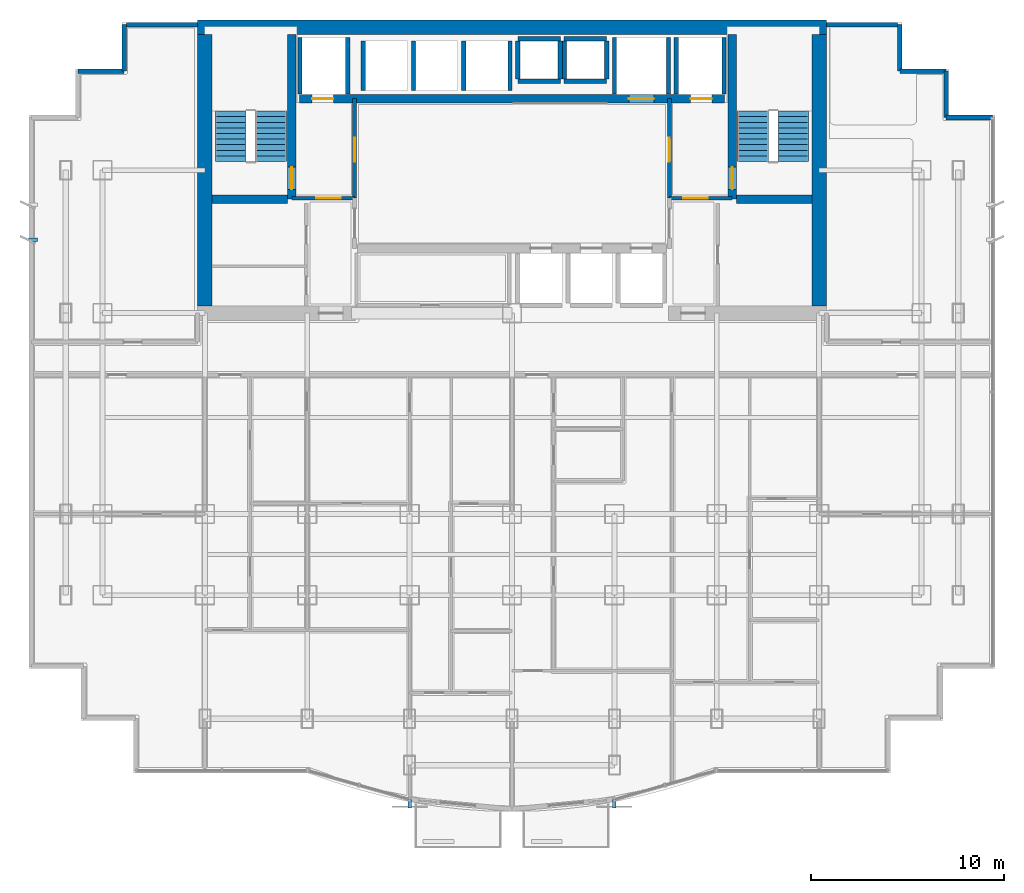
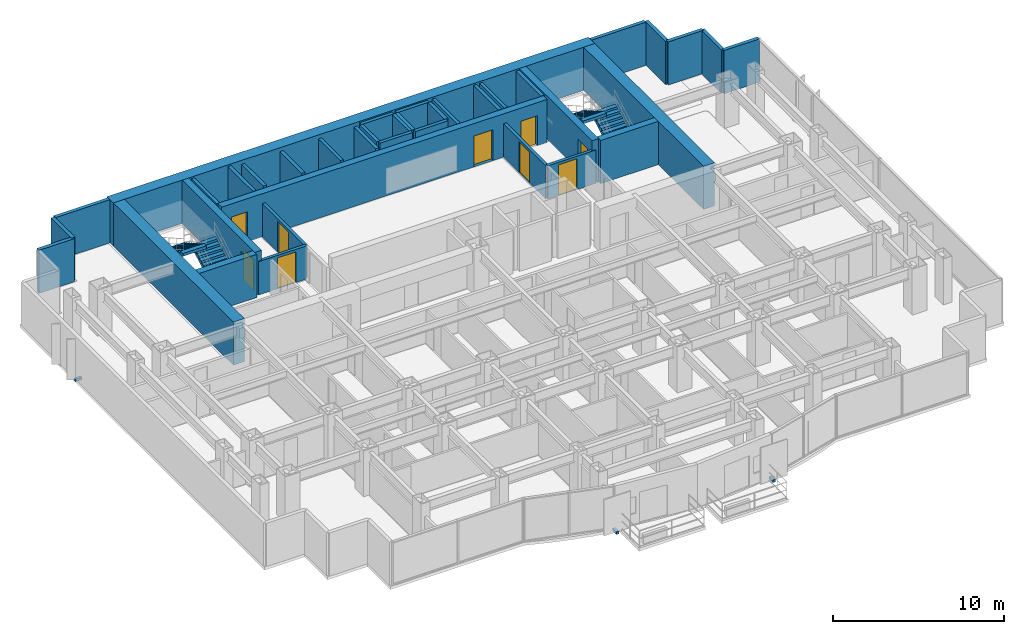
# One storey, part 9 of 12: 38 walls, 9 doors, 4 stair flights, 3 discrete accessories, 9 openings, 2 elements without a shape of their own.
"""IFC4 building model written with IfcOpenShell, lengths in metres."""

from ifc_helpers import new_model, si_unit, direction, frame, frame_2d, origin, origin_2d, place, context, subcontext, project, spatial, polyline, rectangle, outline, extrude, source, transform, mapped, material, layer, layer_set, type_object, element, fill, aggregate, save


model = new_model("IFC4")

# Units and contexts
model_context = context("Model", 3, precision=1e-05, world=origin(), true_north=direction((0.0, 1.0)))
body_context = subcontext(model_context, "Body", "Model", "MODEL_VIEW")
ifc_project = project(units=[si_unit("LENGTHUNIT", "METRE"), si_unit("AREAUNIT", "SQUARE_METRE"), si_unit("VOLUMEUNIT", "CUBIC_METRE"), si_unit("PLANEANGLEUNIT", "RADIAN"), si_unit("MASSUNIT", "GRAM", prefix="KILO")], contexts=[model_context])

# Site, building, storey
site_placement = place(None, origin())
site = spatial("IfcSite", under=ifc_project, at=site_placement, CompositionType="ELEMENT")
building_placement = place(site_placement, origin())
building = spatial("IfcBuilding", under=site, at=building_placement, Name="Qianlan Lanfeng Residences", CompositionType="ELEMENT")
storey_placement = place(building_placement, frame((0.0, 0.0, 101.5)))
storey = spatial("IfcBuildingStorey", under=building, at=storey_placement, Name="L27", CompositionType="ELEMENT", Elevation=101.5)

# Wall, opening, door
ifc_material_1 = material(Name="Concrete C60", Category="concrete")
ifc_layer_1 = layer(ifc_material_1, 0.449951171875)
ifc_layer_set_1 = layer_set([ifc_layer_1], Name="Concrete C60")
wall_type_1 = type_object("IfcWallType", Name="CW-RC-450", PredefinedType="SHEAR", material=ifc_layer_set_1)
wall_1_placement = place(storey_placement, frame((15.10009765625, 31.10009765625, 0.0), z_axis=(0.0, 0.0, 1.0), x_axis=(0.0, 1.0, 0.0)))
wall_1 = element("IfcWall", 1, at=wall_1_placement, inside=storey, type_object=wall_type_1, Name="L27 Core Shear Wall ST1E", PredefinedType="SHEAR", context=body_context, shape_type="SweptSolid", body=[
    extrude(rectangle(XDim=8.52490234375, YDim=0.449951171875, at=frame_2d((4.262451171875, 0.0))), origin(), (0.0, 0.0, 1.0), 3.090087890625),
])
opening_1_placement = place(wall_1_placement, frame((0.510009765625, 0.0, 0.0)))
opening_1 = element("IfcOpeningElement", 2, at=opening_1_placement, cuts=wall_1, Name="Opening L27-D07", PredefinedType="OPENING", context=body_context, shape_type="SweptSolid", body=[
    extrude(rectangle(XDim=1.14990234375, YDim=2.199951171875, at=frame_2d((0.574951171875, 1.10009765625))), frame((0.0, 0.23486328125, 0.0), z_axis=(0.0, -1.0, 0.0), x_axis=(1.0, 0.0, 0.0)), (0.0, 0.0, 1.0), 0.469970703125),
])
ifc_material_2 = material(Name="Painted Galvanised Steel Fire Door", Category="steel")
door_type_1 = type_object("IfcDoorType", Name="DT-ST1", OperationType="NOTDEFINED", PredefinedType="DOOR", material=ifc_material_2)
door_1_placement = place(opening_1_placement, frame((1.14990234375, 0.0, 0.0), z_axis=(0.0, 0.0, 1.0), x_axis=(-1.0, 0.0, 0.0)))
door_1 = element("IfcDoor", 3, at=door_1_placement, inside=storey, type_object=door_type_1, Name="L27 Exit Stair ST-1 Door L27-D07 (DT-ST1)", OperationType="SINGLE_SWING_RIGHT", OverallHeight=2.199951171875, OverallWidth=1.14990234375, PredefinedType="DOOR", context=body_context, shape_type="SweptSolid", body=[
    extrude(rectangle(XDim=1.14990234375, YDim=2.199951171875, at=frame_2d((0.574951171875, 1.10009765625))), frame((0.0, 0.02490234375, 0.0), z_axis=(0.0, -1.0, 0.0), x_axis=(1.0, 0.0, 0.0)), (0.0, 0.0, 1.0), 0.050048828125),
])
fill(opening_1, door_1)

# Wall
wall_2_placement = place(storey_placement, frame((10.97509765625, 31.10009765625, 0.0), z_axis=(0.0, 0.0, 1.0), x_axis=(1.0, 0.0, 0.0)))
element("IfcWall", 4, at=wall_2_placement, inside=storey, type_object=wall_type_1, Name="L27 Core Shear Wall ST1S", PredefinedType="SHEAR", context=body_context, shape_type="SweptSolid", body=[
    extrude(rectangle(XDim=3.89990234375, YDim=0.449951171875, at=frame_2d((1.949951171875, 0.0))), origin(), (0.0, 0.0, 1.0), 3.090087890625),
])

# Wall, opening, door
wall_3_placement = place(storey_placement, frame((37.89990234375, 31.10009765625, 0.0), z_axis=(0.0, 0.0, 1.0), x_axis=(0.0, 1.0, 0.0)))
wall_3 = element("IfcWall", 5, at=wall_3_placement, inside=storey, type_object=wall_type_1, Name="L27 Core Shear Wall ST2W", PredefinedType="SHEAR", context=body_context, shape_type="SweptSolid", body=[
    extrude(rectangle(XDim=8.52490234375, YDim=0.449951171875, at=frame_2d((4.262451171875, 0.0))), origin(), (0.0, 0.0, 1.0), 3.090087890625),
])
opening_2_placement = place(wall_3_placement, frame((0.510009765625, 0.0, 0.0)))
opening_2 = element("IfcOpeningElement", 6, at=opening_2_placement, cuts=wall_3, Name="Opening L27-D08", PredefinedType="OPENING", context=body_context, shape_type="SweptSolid", body=[
    extrude(rectangle(XDim=1.14990234375, YDim=2.199951171875, at=frame_2d((0.574951171875, 1.10009765625))), frame((0.0, 0.23486328125, 0.0), z_axis=(0.0, -1.0, 0.0), x_axis=(1.0, 0.0, 0.0)), (0.0, 0.0, 1.0), 0.469970703125),
])
door_2_placement = place(opening_2_placement, origin())
door_2 = element("IfcDoor", 7, at=door_2_placement, inside=storey, type_object=door_type_1, Name="L27 Exit Stair ST-2 Door L27-D08 (DT-ST1)", OperationType="SINGLE_SWING_RIGHT", OverallHeight=2.199951171875, OverallWidth=1.14990234375, PredefinedType="DOOR", context=body_context, shape_type="SweptSolid", body=[
    extrude(rectangle(XDim=1.14990234375, YDim=2.199951171875, at=frame_2d((0.574951171875, 1.10009765625))), frame((0.0, 0.02490234375, 0.0), z_axis=(0.0, -1.0, 0.0), x_axis=(1.0, 0.0, 0.0)), (0.0, 0.0, 1.0), 0.050048828125),
])
fill(opening_2, door_2)

# Wall
wall_4_placement = place(storey_placement, frame((38.125, 31.10009765625, 0.0), z_axis=(0.0, 0.0, 1.0), x_axis=(1.0, 0.0, 0.0)))
element("IfcWall", 8, at=wall_4_placement, inside=storey, type_object=wall_type_1, Name="L27 Core Shear Wall ST2S", PredefinedType="SHEAR", context=body_context, shape_type="SweptSolid", body=[
    extrude(rectangle(XDim=3.89990234375, YDim=0.449951171875, at=frame_2d((1.949951171875, 0.0))), origin(), (0.0, 0.0, 1.0), 3.090087890625),
])

# Wall, openings, doors
wall_5_placement = place(storey_placement, frame((15.5, 36.300048828125, 0.0), z_axis=(0.0, 0.0, 1.0), x_axis=(1.0, 0.0, 0.0)))
wall_5 = element("IfcWall", 9, at=wall_5_placement, inside=storey, type_object=wall_type_1, Name="L27 Core Shear Wall LBN", PredefinedType="SHEAR", context=body_context, shape_type="SweptSolid", body=[
    extrude(rectangle(XDim=22.0, YDim=0.449951171875, at=frame_2d((11.0, 0.0))), origin(), (0.0, 0.0, 1.0), 3.090087890625),
])
opening_3_placement = place(wall_5_placement, frame((0.64990234375, 0.0, 0.0)))
opening_3 = element("IfcOpeningElement", 10, at=opening_3_placement, cuts=wall_5, Name="Opening L27-LD-FFL-1", PredefinedType="OPENING", context=body_context, shape_type="SweptSolid", body=[
    extrude(rectangle(XDim=1.10009765625, YDim=2.14990234375, at=frame_2d((0.550048828125, 1.074951171875))), frame((0.0, 0.23486328125, 0.0), z_axis=(0.0, -1.0, 0.0), x_axis=(1.0, 0.0, 0.0)), (0.0, 0.0, 1.0), 0.469970703125),
])
opening_4_placement = place(wall_5_placement, frame((20.25, 0.0, 0.0)))
opening_4 = element("IfcOpeningElement", 11, at=opening_4_placement, cuts=wall_5, Name="Opening L27-LD-FFL-2", PredefinedType="OPENING", context=body_context, shape_type="SweptSolid", body=[
    extrude(rectangle(XDim=1.10009765625, YDim=2.14990234375, at=frame_2d((0.550048828125, 1.074951171875))), frame((0.0, 0.23486328125, 0.0), z_axis=(0.0, -1.0, 0.0), x_axis=(1.0, 0.0, 0.0)), (0.0, 0.0, 1.0), 0.469970703125),
])
opening_5_placement = place(wall_5_placement, frame((17.050048828125, 0.0, 0.0)))
opening_5 = element("IfcOpeningElement", 12, at=opening_5_placement, cuts=wall_5, Name="Opening L27-LD-SVL-1", PredefinedType="OPENING", context=body_context, shape_type="SweptSolid", body=[
    extrude(rectangle(XDim=1.300048828125, YDim=2.199951171875, at=frame_2d((0.64990234375, 1.10009765625))), frame((0.0, 0.23486328125, 0.0), z_axis=(0.0, -1.0, 0.0), x_axis=(1.0, 0.0, 0.0)), (0.0, 0.0, 1.0), 0.469970703125),
])
ifc_material_3 = material(Name="Brushed Stainless Steel Sliding Lift Door", Category="steel")
door_type_2 = type_object("IfcDoorType", Name="LD-01", OperationType="NOTDEFINED", PredefinedType="DOOR", material=ifc_material_3)
door_3_placement = place(opening_3_placement, frame((1.10009765625, 0.0, 0.0), z_axis=(0.0, 0.0, 1.0), x_axis=(-1.0, 0.0, 0.0)))
door_3 = element("IfcDoor", 13, at=door_3_placement, inside=storey, type_object=door_type_2, Name="L27 Elevator FFL-1 Sliding Landing Door", OperationType="DOUBLE_DOOR_SLIDING", OverallHeight=2.14990234375, OverallWidth=1.10009765625, PredefinedType="DOOR", context=body_context, shape_type="SweptSolid", body=[
    extrude(rectangle(XDim=1.10009765625, YDim=2.14990234375, at=frame_2d((0.550048828125, 1.074951171875))), frame((0.0, 0.02490234375, 0.0), z_axis=(0.0, -1.0, 0.0), x_axis=(1.0, 0.0, 0.0)), (0.0, 0.0, 1.0), 0.050048828125),
])
fill(opening_3, door_3)
door_4_placement = place(opening_4_placement, frame((1.10009765625, 0.0, 0.0), z_axis=(0.0, 0.0, 1.0), x_axis=(-1.0, 0.0, 0.0)))
door_4 = element("IfcDoor", 14, at=door_4_placement, inside=storey, type_object=door_type_2, Name="L27 Elevator FFL-2 Sliding Landing Door", OperationType="DOUBLE_DOOR_SLIDING", OverallHeight=2.14990234375, OverallWidth=1.10009765625, PredefinedType="DOOR", context=body_context, shape_type="SweptSolid", body=[
    extrude(rectangle(XDim=1.10009765625, YDim=2.14990234375, at=frame_2d((0.550048828125, 1.074951171875))), frame((0.0, 0.02490234375, 0.0), z_axis=(0.0, -1.0, 0.0), x_axis=(1.0, 0.0, 0.0)), (0.0, 0.0, 1.0), 0.050048828125),
])
fill(opening_4, door_4)
door_type_3 = type_object("IfcDoorType", Name="LD-02", OperationType="NOTDEFINED", PredefinedType="DOOR", material=ifc_material_3)
door_5_placement = place(opening_5_placement, frame((1.300048828125, 0.0, 0.0), z_axis=(0.0, 0.0, 1.0), x_axis=(-1.0, 0.0, 0.0)))
door_5 = element("IfcDoor", 15, at=door_5_placement, inside=storey, type_object=door_type_3, Name="L27 Elevator SVL-1 Sliding Landing Door", OperationType="DOUBLE_DOOR_SLIDING", OverallHeight=2.199951171875, OverallWidth=1.300048828125, PredefinedType="DOOR", context=body_context, shape_type="SweptSolid", body=[
    extrude(rectangle(XDim=1.300048828125, YDim=2.199951171875, at=frame_2d((0.64990234375, 1.10009765625))), frame((0.0, 0.02490234375, 0.0), z_axis=(0.0, -1.0, 0.0), x_axis=(1.0, 0.0, 0.0)), (0.0, 0.0, 1.0), 0.050048828125),
])
fill(opening_5, door_5)

# Walls
ifc_layer_2 = layer(ifc_material_1, 0.75)
ifc_layer_set_2 = layer_set([ifc_layer_2], Name="Concrete C60")
wall_type_2 = type_object("IfcWallType", Name="CW-RC-750", PredefinedType="SHEAR", material=ifc_layer_set_2)
wall_6_placement = place(storey_placement, frame((10.22509765625, 40.0, 0.0), z_axis=(0.0, 0.0, 1.0), x_axis=(1.0, 0.0, 0.0)))
element("IfcWall", 16, at=wall_6_placement, inside=storey, type_object=wall_type_2, Name="L27 Core Shear Wall N", PredefinedType="SHEAR", context=body_context, shape_type="SweptSolid", body=[
    extrude(rectangle(XDim=32.5498046875, YDim=0.75, at=frame_2d((16.27490234375, 0.0))), origin(), (0.0, 0.0, 1.0), 3.090087890625),
])
for number, where, z_axis, x_axis, name in (
    (17, (10.60009765625, 25.574951171875, 0.0), (0.0, 0.0, 1.0), (0.0, 1.0, 0.0), "L27 Core Shear Wall W"),
    (18, (42.39990234375, 25.574951171875, 0.0), (0.0, 0.0, 1.0), (0.0, 1.0, 0.0), "L27 Core Shear Wall E"),
):
    element("IfcWall", number, at=place(storey_placement, frame(where, z_axis=z_axis, x_axis=x_axis)), inside=storey, type_object=wall_type_2, Name=name, PredefinedType="SHEAR", context=body_context, shape_type="SweptSolid", body=[
        extrude(rectangle(XDim=14.050048828125, YDim=0.75, at=frame_2d((7.02490234375, 0.0))), origin(), (0.0, 0.0, 1.0), 3.090087890625),
    ])
ifc_material_4 = material(Name="Concrete C42", Category="concrete")
ifc_layer_3 = layer(ifc_material_4, 0.239990234375)
ifc_layer_set_3 = layer_set([ifc_layer_3], Name="Concrete C42")
wall_type_3 = type_object("IfcWallType", Name="EW-240", PredefinedType="SOLIDWALL", material=ifc_layer_set_3)
for number, where, z_axis, x_axis, name in (
    (19, (51.3798828125, 35.330078125, 0.0), (0.0, 0.0, 1.0), (-1.0, 0.0, 0.0), "L27 Exterior Facade Spandrel Wall 11"),
    (20, (48.97998046875, 35.330078125, 0.0), (0.0, 0.0, 1.0), (0.0, 1.0, 0.0), "L27 Exterior Facade Spandrel Wall 12"),
    (21, (48.97998046875, 37.72998046875, 0.0), (0.0, 0.0, 1.0), (-1.0, 0.0, 0.0), "L27 Exterior Facade Spandrel Wall 13"),
    (22, (46.580078125, 37.72998046875, 0.0), (0.0, 0.0, 1.0), (0.0, 1.0, 0.0), "L27 Exterior Facade Spandrel Wall 14"),
):
    element("IfcWall", number, at=place(storey_placement, frame(where, z_axis=z_axis, x_axis=x_axis)), inside=storey, type_object=wall_type_3, Name=name, PredefinedType="SOLIDWALL", context=body_context, shape_type="SweptSolid", body=[
        extrude(rectangle(XDim=2.39990234375, YDim=0.239990234375, at=frame_2d((1.199951171875, 0.0))), origin(), (0.0, 0.0, 1.0), 3.090087890625),
    ])
for number, where, z_axis, x_axis, name in (
    (23, (46.449951171875, 40.1298828125, 0.0), (0.0, 0.0, 1.0), (-1.0, 0.0, 0.0), "L27 North Wing Exterior Wall E"),
    (24, (10.22509765625, 40.1298828125, 0.0), (0.0, 0.0, 1.0), (-1.0, 0.0, 0.0), "L27 North Wing Exterior Wall W"),
):
    element("IfcWall", number, at=place(storey_placement, frame(where, z_axis=z_axis, x_axis=x_axis)), inside=storey, type_object=wall_type_3, Name=name, PredefinedType="SOLIDWALL", context=body_context, shape_type="SweptSolid", body=[
        extrude(rectangle(XDim=3.675048828125, YDim=0.239990234375, at=frame_2d((1.83740234375, 0.0))), origin(), (0.0, 0.0, 1.0), 3.090087890625),
    ])
for number, where, z_axis, x_axis, name in (
    (25, (6.419921875, 40.1298828125, 0.0), (0.0, 0.0, 1.0), (0.0, -1.0, 0.0), "L27 Exterior Facade Spandrel Wall 17"),
    (26, (6.419921875, 37.72998046875, 0.0), (0.0, 0.0, 1.0), (-1.0, 0.0, 0.0), "L27 Exterior Facade Spandrel Wall 18"),
):
    element("IfcWall", number, at=place(storey_placement, frame(where, z_axis=z_axis, x_axis=x_axis)), inside=storey, type_object=wall_type_3, Name=name, PredefinedType="SOLIDWALL", context=body_context, shape_type="SweptSolid", body=[
        extrude(rectangle(XDim=2.39990234375, YDim=0.239990234375, at=frame_2d((1.199951171875, 0.0))), origin(), (0.0, 0.0, 1.0), 3.090087890625),
    ])

# Wall, opening, door
ifc_material_5 = material(Name="Autoclaved Aerated Concrete Blockwork 200 mm", Category="masonry")
ifc_layer_4 = layer(ifc_material_5, 0.199951171875)
ifc_layer_set_4 = layer_set([ifc_layer_4], Name="Autoclaved Aerated Concrete Blockwork 200 mm")
wall_type_4 = type_object("IfcWallType", Name="PW-200", PredefinedType="PARTITIONING", material=ifc_layer_set_4)
wall_7_placement = place(storey_placement, frame((15.10009765625, 31.14990234375, 0.0), z_axis=(0.0, 0.0, 1.0), x_axis=(1.0, 0.0, 0.0)))
wall_7 = element("IfcWall", 27, at=wall_7_placement, inside=storey, type_object=wall_type_4, Name="L27 Firefighting Lobby 1 South Wall", PredefinedType="PARTITIONING", context=body_context, shape_type="SweptSolid", body=[
    extrude(rectangle(XDim=3.25, YDim=0.199951171875, at=frame_2d((1.625, 0.0))), origin(), (0.0, 0.0, 1.0), 2.3798828125),
])
opening_6_placement = place(wall_7_placement, frame((1.27490234375, 0.0, 0.0)))
opening_6 = element("IfcOpeningElement", 28, at=opening_6_placement, cuts=wall_7, Name="Opening L27-D03", PredefinedType="OPENING", context=body_context, shape_type="SweptSolid", body=[
    extrude(rectangle(XDim=1.25, YDim=2.199951171875, at=frame_2d((0.625, 1.10009765625))), frame((0.0, 0.10986328125, 0.0), z_axis=(0.0, -1.0, 0.0), x_axis=(1.0, 0.0, 0.0)), (0.0, 0.0, 1.0), 0.219970703125),
])
door_type_4 = type_object("IfcDoorType", Name="DT-FFL", OperationType="NOTDEFINED", PredefinedType="DOOR", material=ifc_material_2)
door_6_placement = place(opening_6_placement, origin())
door_6 = element("IfcDoor", 29, at=door_6_placement, inside=storey, type_object=door_type_4, Name="L27 Firefighting Lobby 1 Entry Door L27-D03 (DT-FFL)", OperationType="SINGLE_SWING_LEFT", OverallHeight=2.199951171875, OverallWidth=1.25, PredefinedType="DOOR", context=body_context, shape_type="SweptSolid", body=[
    extrude(rectangle(XDim=1.25, YDim=2.199951171875, at=frame_2d((0.625, 1.10009765625))), frame((0.0, 0.02490234375, 0.0), z_axis=(0.0, -1.0, 0.0), x_axis=(1.0, 0.0, 0.0)), (0.0, 0.0, 1.0), 0.050048828125),
])
fill(opening_6, door_6)

wall_8_placement = place(storey_placement, frame((18.35009765625, 31.14990234375, 0.0), z_axis=(0.0, 0.0, 1.0), x_axis=(0.0, 1.0, 0.0)))
wall_8 = element("IfcWall", 30, at=wall_8_placement, inside=storey, type_object=wall_type_4, Name="L27 Firefighting Lobby 1 East Wall", PredefinedType="PARTITIONING", context=body_context, shape_type="SweptSolid", body=[
    extrude(rectangle(XDim=5.150146484375, YDim=0.199951171875, at=frame_2d((2.5751953125, 0.0))), origin(), (0.0, 0.0, 1.0), 2.3798828125),
])
opening_7_placement = place(wall_8_placement, frame((1.875, 0.0, 0.0)))
opening_7 = element("IfcOpeningElement", 31, at=opening_7_placement, cuts=wall_8, Name="Opening L27-D04", PredefinedType="OPENING", context=body_context, shape_type="SweptSolid", body=[
    extrude(rectangle(XDim=1.25, YDim=2.199951171875, at=frame_2d((0.625, 1.10009765625))), frame((0.0, 0.10986328125, 0.0), z_axis=(0.0, -1.0, 0.0), x_axis=(1.0, 0.0, 0.0)), (0.0, 0.0, 1.0), 0.219970703125),
])
door_7_placement = place(opening_7_placement, origin())
door_7 = element("IfcDoor", 32, at=door_7_placement, inside=storey, type_object=door_type_4, Name="L27 Firefighting Lobby 1 Lift Lobby Door L27-D04 (DT-FFL)", OperationType="SINGLE_SWING_LEFT", OverallHeight=2.199951171875, OverallWidth=1.25, PredefinedType="DOOR", context=body_context, shape_type="SweptSolid", body=[
    extrude(rectangle(XDim=1.25, YDim=2.199951171875, at=frame_2d((0.625, 1.10009765625))), frame((0.0, 0.02490234375, 0.0), z_axis=(0.0, -1.0, 0.0), x_axis=(1.0, 0.0, 0.0)), (0.0, 0.0, 1.0), 0.050048828125),
])
fill(opening_7, door_7)

wall_9_placement = place(storey_placement, frame((34.64990234375, 31.14990234375, 0.0), z_axis=(0.0, 0.0, 1.0), x_axis=(1.0, 0.0, 0.0)))
wall_9 = element("IfcWall", 33, at=wall_9_placement, inside=storey, type_object=wall_type_4, Name="L27 Firefighting Lobby 2 South Wall", PredefinedType="PARTITIONING", context=body_context, shape_type="SweptSolid", body=[
    extrude(rectangle(XDim=3.25, YDim=0.199951171875, at=frame_2d((1.625, 0.0))), origin(), (0.0, 0.0, 1.0), 2.3798828125),
])
opening_8_placement = place(wall_9_placement, frame((0.72509765625, 0.0, 0.0)))
opening_8 = element("IfcOpeningElement", 34, at=opening_8_placement, cuts=wall_9, Name="Opening L27-D05", PredefinedType="OPENING", context=body_context, shape_type="SweptSolid", body=[
    extrude(rectangle(XDim=1.25, YDim=2.199951171875, at=frame_2d((0.625, 1.10009765625))), frame((0.0, 0.10986328125, 0.0), z_axis=(0.0, -1.0, 0.0), x_axis=(1.0, 0.0, 0.0)), (0.0, 0.0, 1.0), 0.219970703125),
])
door_8_placement = place(opening_8_placement, origin())
door_8 = element("IfcDoor", 35, at=door_8_placement, inside=storey, type_object=door_type_4, Name="L27 Firefighting Lobby 2 Entry Door L27-D05 (DT-FFL)", OperationType="SINGLE_SWING_RIGHT", OverallHeight=2.199951171875, OverallWidth=1.25, PredefinedType="DOOR", context=body_context, shape_type="SweptSolid", body=[
    extrude(rectangle(XDim=1.25, YDim=2.199951171875, at=frame_2d((0.625, 1.10009765625))), frame((0.0, 0.02490234375, 0.0), z_axis=(0.0, -1.0, 0.0), x_axis=(1.0, 0.0, 0.0)), (0.0, 0.0, 1.0), 0.050048828125),
])
fill(opening_8, door_8)

wall_10_placement = place(storey_placement, frame((34.64990234375, 31.14990234375, 0.0), z_axis=(0.0, 0.0, 1.0), x_axis=(0.0, 1.0, 0.0)))
wall_10 = element("IfcWall", 36, at=wall_10_placement, inside=storey, type_object=wall_type_4, Name="L27 Firefighting Lobby 2 West Wall", PredefinedType="PARTITIONING", context=body_context, shape_type="SweptSolid", body=[
    extrude(rectangle(XDim=5.150146484375, YDim=0.199951171875, at=frame_2d((2.5751953125, 0.0))), origin(), (0.0, 0.0, 1.0), 2.3798828125),
])
opening_9_placement = place(wall_10_placement, frame((1.875, 0.0, 0.0)))
opening_9 = element("IfcOpeningElement", 37, at=opening_9_placement, cuts=wall_10, Name="Opening L27-D06", PredefinedType="OPENING", context=body_context, shape_type="SweptSolid", body=[
    extrude(rectangle(XDim=1.25, YDim=2.199951171875, at=frame_2d((0.625, 1.10009765625))), frame((0.0, 0.10986328125, 0.0), z_axis=(0.0, -1.0, 0.0), x_axis=(1.0, 0.0, 0.0)), (0.0, 0.0, 1.0), 0.219970703125),
])
door_9_placement = place(opening_9_placement, origin())
door_9 = element("IfcDoor", 38, at=door_9_placement, inside=storey, type_object=door_type_4, Name="L27 Firefighting Lobby 2 Lift Lobby Door L27-D06 (DT-FFL)", OperationType="SINGLE_SWING_LEFT", OverallHeight=2.199951171875, OverallWidth=1.25, PredefinedType="DOOR", context=body_context, shape_type="SweptSolid", body=[
    extrude(rectangle(XDim=1.25, YDim=2.199951171875, at=frame_2d((0.625, 1.10009765625))), frame((0.0, 0.02490234375, 0.0), z_axis=(0.0, -1.0, 0.0), x_axis=(1.0, 0.0, 0.0)), (0.0, 0.0, 1.0), 0.050048828125),
])
fill(opening_9, door_9)

# Walls
ifc_material_6 = material(Name="Concrete C49", Category="concrete")
ifc_layer_5 = layer(ifc_material_6, 0.219970703125)
ifc_layer_set_5 = layer_set([ifc_layer_5], Name="Concrete C49")
wall_type_5 = type_object("IfcWallType", Name="SHW-220", PredefinedType="SOLIDWALL", material=ifc_layer_set_5)
for number, where, z_axis, x_axis, name in (
    (39, (15.52001953125, 36.550048828125, 0.0), (0.0, 0.0, 1.0), (0.0, 1.0, 0.0), "L27 Lift FFL-1 Shaft Wall W"),
    (40, (18.0, 36.550048828125, 0.0), (0.0, 0.0, 1.0), (0.0, 1.0, 0.0), "L27 Lift FFL-1 Shaft Wall E"),
    (41, (35.0, 36.550048828125, 0.0), (0.0, 0.0, 1.0), (0.0, 1.0, 0.0), "L27 Lift FFL-2 Shaft Wall W"),
    (42, (37.47998046875, 36.550048828125, 0.0), (0.0, 0.0, 1.0), (0.0, 1.0, 0.0), "L27 Lift FFL-2 Shaft Wall E"),
    (43, (31.800048828125, 36.550048828125, 0.0), (0.0, 0.0, 1.0), (0.0, 1.0, 0.0), "L27 Lift SVL-1 Shaft Wall W"),
    (44, (34.60009765625, 36.550048828125, 0.0), (0.0, 0.0, 1.0), (0.0, 1.0, 0.0), "L27 Lift SVL-1 Shaft Wall E"),
):
    element("IfcWall", number, at=place(storey_placement, frame(where, z_axis=z_axis, x_axis=x_axis)), inside=storey, type_object=wall_type_5, Name=name, PredefinedType="SOLIDWALL", context=body_context, shape_type="SweptSolid", body=[
        extrude(rectangle(XDim=2.929931640625, YDim=0.219970703125, at=frame_2d((1.46484375, 0.0))), origin(), (0.0, 0.0, 1.0), 3.090087890625),
    ])
for number, where, z_axis, x_axis, name in (
    (45, (18.800048828125, 36.719970703125, 0.0), (0.0, 0.0, 1.0), (0.0, 1.0, 0.0), "L27 Lift PL-H1 Shaft Wall W"),
    (46, (21.39990234375, 36.719970703125, 0.0), (0.0, 0.0, 1.0), (0.0, 1.0, 0.0), "L27 Lift PL-H2 Shaft Wall W"),
    (47, (24.0, 36.719970703125, 0.0), (0.0, 0.0, 1.0), (0.0, 1.0, 0.0), "L27 Lift PL-H3 Shaft Wall W"),
    (48, (26.39990234375, 36.719970703125, 0.0), (0.0, 0.0, 1.0), (0.0, 1.0, 0.0), "L27 Lift PL-H3 Shaft Wall E"),
):
    element("IfcWall", number, at=place(storey_placement, frame(where, z_axis=z_axis, x_axis=x_axis)), inside=storey, type_object=wall_type_5, Name=name, PredefinedType="SOLIDWALL", context=body_context, shape_type="SweptSolid", body=[
        extrude(rectangle(XDim=2.56005859375, YDim=0.219970703125, at=frame_2d((1.280029296875, 0.0))), origin(), (0.0, 0.0, 1.0), 3.090087890625),
    ])
for number, where, z_axis, x_axis, name in (
    (49, (26.800048828125, 37.31005859375, 0.0), (0.0, 0.0, 1.0), (0.0, 1.0, 0.0), "L27 MEP Riser MEP-R1 Shaft Wall W"),
    (50, (29.0, 37.31005859375, 0.0), (0.0, 0.0, 1.0), (0.0, 1.0, 0.0), "L27 MEP Riser MEP-R1 Shaft Wall E"),
):
    element("IfcWall", number, at=place(storey_placement, frame(where, z_axis=z_axis, x_axis=x_axis)), inside=storey, type_object=wall_type_5, Name=name, PredefinedType="SOLIDWALL", context=body_context, shape_type="SweptSolid", body=[
        extrude(rectangle(XDim=1.97998046875, YDim=0.219970703125, at=frame_2d((0.989990234375, 0.0))), origin(), (0.0, 0.0, 1.0), 3.090087890625),
    ])
for number, where, z_axis, x_axis, name in (
    (51, (26.800048828125, 39.39990234375, 0.0), (0.0, 0.0, 1.0), (1.0, 0.0, 0.0), "L27 MEP Riser MEP-R1 Shaft Wall N"),
    (52, (26.800048828125, 37.199951171875, 0.0), (0.0, 0.0, 1.0), (1.0, 0.0, 0.0), "L27 MEP Riser MEP-R1 Shaft Wall S"),
):
    element("IfcWall", number, at=place(storey_placement, frame(where, z_axis=z_axis, x_axis=x_axis)), inside=storey, type_object=wall_type_5, Name=name, PredefinedType="SOLIDWALL", context=body_context, shape_type="SweptSolid", body=[
        extrude(rectangle(XDim=2.199951171875, YDim=0.219970703125, at=frame_2d((1.10009765625, 0.0))), origin(), (0.0, 0.0, 1.0), 3.090087890625),
    ])
for number, where, z_axis, x_axis, name in (
    (53, (29.199951171875, 37.31005859375, 0.0), (0.0, 0.0, 1.0), (0.0, 1.0, 0.0), "L27 MEP Riser MEP-R2 Shaft Wall W"),
    (54, (31.39990234375, 37.31005859375, 0.0), (0.0, 0.0, 1.0), (0.0, 1.0, 0.0), "L27 MEP Riser MEP-R2 Shaft Wall E"),
):
    element("IfcWall", number, at=place(storey_placement, frame(where, z_axis=z_axis, x_axis=x_axis)), inside=storey, type_object=wall_type_5, Name=name, PredefinedType="SOLIDWALL", context=body_context, shape_type="SweptSolid", body=[
        extrude(rectangle(XDim=1.97998046875, YDim=0.219970703125, at=frame_2d((0.989990234375, 0.0))), origin(), (0.0, 0.0, 1.0), 3.090087890625),
    ])
for number, where, z_axis, x_axis, name in (
    (55, (29.199951171875, 39.39990234375, 0.0), (0.0, 0.0, 1.0), (1.0, 0.0, 0.0), "L27 MEP Riser MEP-R2 Shaft Wall N"),
    (56, (29.199951171875, 37.199951171875, 0.0), (0.0, 0.0, 1.0), (1.0, 0.0, 0.0), "L27 MEP Riser MEP-R2 Shaft Wall S"),
):
    element("IfcWall", number, at=place(storey_placement, frame(where, z_axis=z_axis, x_axis=x_axis)), inside=storey, type_object=wall_type_5, Name=name, PredefinedType="SOLIDWALL", context=body_context, shape_type="SweptSolid", body=[
        extrude(rectangle(XDim=2.199951171875, YDim=0.219970703125, at=frame_2d((1.10009765625, 0.0))), origin(), (0.0, 0.0, 1.0), 3.090087890625),
    ])

# Stair, stair flights
stair_type = type_object("IfcStairType", Name="STR-MAIN", PredefinedType="HALF_TURN_STAIR", material=ifc_material_4)
stair_1_placement = place(storey_placement, origin())
stair_1 = element("IfcStair", 57, at=stair_1_placement, inside=storey, type_object=stair_type, Name="L27 Exit Stair ST-1", PredefinedType="HALF_TURN_STAIR")
stair_flight_type = type_object("IfcStairFlightType", Name="FLT-1720", PredefinedType="STRAIGHT", material=ifc_material_4)
stair_flight_1_placement = place(storey_placement, frame((14.02001953125, 33.050048828125, 0.0), z_axis=(0.0, 0.0, 1.0), x_axis=(0.0, 1.0, 0.0)))
stair_flight_1 = element("IfcStairFlight", 58, at=stair_flight_1_placement, type_object=stair_flight_type, Name="ST-1 flight 1", NumberOfRisers=10, NumberOfTreads=9, PredefinedType="STRAIGHT", RiserHeight=0.165, TreadLength=0.29, context=body_context, shape_type="SweptSolid", body=[
    extrude(outline(polyline([(0.0, 0.0), (0.0, 0.1650390625), (0.2900390625, 0.1650390625), (0.2900390625, 0.330078125), (0.580078125, 0.330078125), (0.580078125, 0.4951171875), (0.8701171875, 0.4951171875), (0.8701171875, 0.659912109375), (1.159912109375, 0.659912109375), (1.159912109375, 0.824951171875), (1.449951171875, 0.824951171875), (1.449951171875, 0.989990234375), (1.739990234375, 0.989990234375), (1.739990234375, 1.155029296875), (2.030029296875, 1.155029296875), (2.030029296875, 1.320068359375), (2.320068359375, 1.320068359375), (2.320068359375, 1.485107421875), (2.610107421875, 1.485107421875), (2.610107421875, 1.64990234375), (2.610107421875, 1.278076171875), (0.36376953125, 0.0), (0.0, 0.0)])), frame((0.0, 0.800048828125, 0.0), z_axis=(0.0, -1.0, 0.0), x_axis=(1.0, 0.0, 0.0)), (0.0, 0.0, 1.0), 1.60009765625),
])
stair_flight_2_placement = place(storey_placement, frame((11.93994140625, 35.659912109375, 1.64990234375), z_axis=(0.0, 0.0, 1.0), x_axis=(0.0, -1.0, 0.0)))
stair_flight_2 = element("IfcStairFlight", 59, at=stair_flight_2_placement, type_object=stair_flight_type, Name="ST-1 flight 2", NumberOfRisers=10, NumberOfTreads=9, PredefinedType="STRAIGHT", RiserHeight=0.165, TreadLength=0.29, context=body_context, shape_type="SweptSolid", body=[
    extrude(outline(polyline([(0.0, 0.0), (0.0, 0.1650390625), (0.2900390625, 0.1650390625), (0.2900390625, 0.330078125), (0.580078125, 0.330078125), (0.580078125, 0.4951171875), (0.8701171875, 0.4951171875), (0.8701171875, 0.659912109375), (1.159912109375, 0.659912109375), (1.159912109375, 0.824951171875), (1.449951171875, 0.824951171875), (1.449951171875, 0.989990234375), (1.739990234375, 0.989990234375), (1.739990234375, 1.155029296875), (2.030029296875, 1.155029296875), (2.030029296875, 1.320068359375), (2.320068359375, 1.320068359375), (2.320068359375, 1.485107421875), (2.610107421875, 1.485107421875), (2.610107421875, 1.64990234375), (2.610107421875, 1.278076171875), (0.36376953125, 0.0), (0.0, 0.0)])), frame((0.0, 0.800048828125, 0.0), z_axis=(0.0, -1.0, 0.0), x_axis=(1.0, 0.0, 0.0)), (0.0, 0.0, 1.0), 1.60009765625),
])
aggregate(stair_1, [stair_flight_1, stair_flight_2])

stair_2_placement = place(storey_placement, origin())
stair_2 = element("IfcStair", 60, at=stair_2_placement, inside=storey, type_object=stair_type, Name="L27 Exit Stair ST-2", PredefinedType="HALF_TURN_STAIR")
stair_flight_3_placement = place(storey_placement, frame((41.06005859375, 33.050048828125, 0.0), z_axis=(0.0, 0.0, 1.0), x_axis=(0.0, 1.0, 0.0)))
stair_flight_3 = element("IfcStairFlight", 61, at=stair_flight_3_placement, type_object=stair_flight_type, Name="ST-2 flight 1", NumberOfRisers=10, NumberOfTreads=9, PredefinedType="STRAIGHT", RiserHeight=0.165, TreadLength=0.29, context=body_context, shape_type="SweptSolid", body=[
    extrude(outline(polyline([(0.0, 0.0), (0.0, 0.1650390625), (0.2900390625, 0.1650390625), (0.2900390625, 0.330078125), (0.580078125, 0.330078125), (0.580078125, 0.4951171875), (0.8701171875, 0.4951171875), (0.8701171875, 0.659912109375), (1.159912109375, 0.659912109375), (1.159912109375, 0.824951171875), (1.449951171875, 0.824951171875), (1.449951171875, 0.989990234375), (1.739990234375, 0.989990234375), (1.739990234375, 1.155029296875), (2.030029296875, 1.155029296875), (2.030029296875, 1.320068359375), (2.320068359375, 1.320068359375), (2.320068359375, 1.485107421875), (2.610107421875, 1.485107421875), (2.610107421875, 1.64990234375), (2.610107421875, 1.278076171875), (0.36376953125, 0.0), (0.0, 0.0)])), frame((0.0, 0.800048828125, 0.0), z_axis=(0.0, -1.0, 0.0), x_axis=(1.0, 0.0, 0.0)), (0.0, 0.0, 1.0), 1.60009765625),
])
stair_flight_4_placement = place(storey_placement, frame((38.97998046875, 35.659912109375, 1.64990234375), z_axis=(0.0, 0.0, 1.0), x_axis=(0.0, -1.0, 0.0)))
stair_flight_4 = element("IfcStairFlight", 62, at=stair_flight_4_placement, type_object=stair_flight_type, Name="ST-2 flight 2", NumberOfRisers=10, NumberOfTreads=9, PredefinedType="STRAIGHT", RiserHeight=0.165, TreadLength=0.29, context=body_context, shape_type="SweptSolid", body=[
    extrude(outline(polyline([(0.0, 0.0), (0.0, 0.1650390625), (0.2900390625, 0.1650390625), (0.2900390625, 0.330078125), (0.580078125, 0.330078125), (0.580078125, 0.4951171875), (0.8701171875, 0.4951171875), (0.8701171875, 0.659912109375), (1.159912109375, 0.659912109375), (1.159912109375, 0.824951171875), (1.449951171875, 0.824951171875), (1.449951171875, 0.989990234375), (1.739990234375, 0.989990234375), (1.739990234375, 1.155029296875), (2.030029296875, 1.155029296875), (2.030029296875, 1.320068359375), (2.320068359375, 1.320068359375), (2.320068359375, 1.485107421875), (2.610107421875, 1.485107421875), (2.610107421875, 1.64990234375), (2.610107421875, 1.278076171875), (0.36376953125, 0.0), (0.0, 0.0)])), frame((0.0, 0.800048828125, 0.0), z_axis=(0.0, -1.0, 0.0), x_axis=(1.0, 0.0, 0.0)), (0.0, 0.0, 1.0), 1.60009765625),
])
aggregate(stair_2, [stair_flight_3, stair_flight_4])

# Discrete accessories
ifc_material_7 = material(Name="Stainless Steel Facade Bracket", Category="steel")
discrete_accessory_type = type_object("IfcDiscreteAccessoryType", Name="BRK-SS-350", PredefinedType="BRACKET", material=ifc_material_7)
shared_shape_1 = source(origin(), body_context, "Body", "SweptSolid", [
    extrude(rectangle(XDim=0.179931640625, YDim=0.449951171875, at=origin_2d()), origin(), (0.0, 0.0, 1.0), 0.179931640625),
])
for number, where, z_axis, x_axis, name in (
    (63, (21.199951171875, -0.199951171875, -0.14990234375), (0.0, 0.0, 1.0), (1.0, 0.0, 0.0), "L27 Solar Screen Support Bracket 1"),
    (64, (31.800048828125, -0.199951171875, -0.14990234375), (0.0, 0.0, 1.0), (1.0, 0.0, 0.0), "L27 Solar Screen Support Bracket 2"),
):
    element("IfcDiscreteAccessory", number, at=place(storey_placement, frame(where, z_axis=z_axis, x_axis=x_axis)), inside=storey, type_object=discrete_accessory_type, Name=name, PredefinedType="BRACKET", context=body_context, shape_type="MappedRepresentation", body=[
        mapped(shared_shape_1, transform((0.0, 0.0, 0.0), scale=1.0)),
    ])
shared_shape_2 = source(origin(), body_context, "Body", "SweptSolid", [
    extrude(rectangle(XDim=0.449951171875, YDim=0.179931640625, at=origin_2d()), origin(), (0.0, 0.0, 1.0), 0.179931640625),
])
discrete_accessory_placement = place(storey_placement, frame((1.699951171875, 29.0, -0.14990234375), z_axis=(0.0, 0.0, 1.0), x_axis=(1.0, 0.0, 0.0)))
element("IfcDiscreteAccessory", 65, at=discrete_accessory_placement, inside=storey, type_object=discrete_accessory_type, Name="L27 Raked Solar Fin Support Bracket W1", PredefinedType="BRACKET", context=body_context, shape_type="MappedRepresentation", body=[
    mapped(shared_shape_2, transform((0.0, 0.0, 0.0), scale=1.0)),
])

save(model, "model.ifc")
